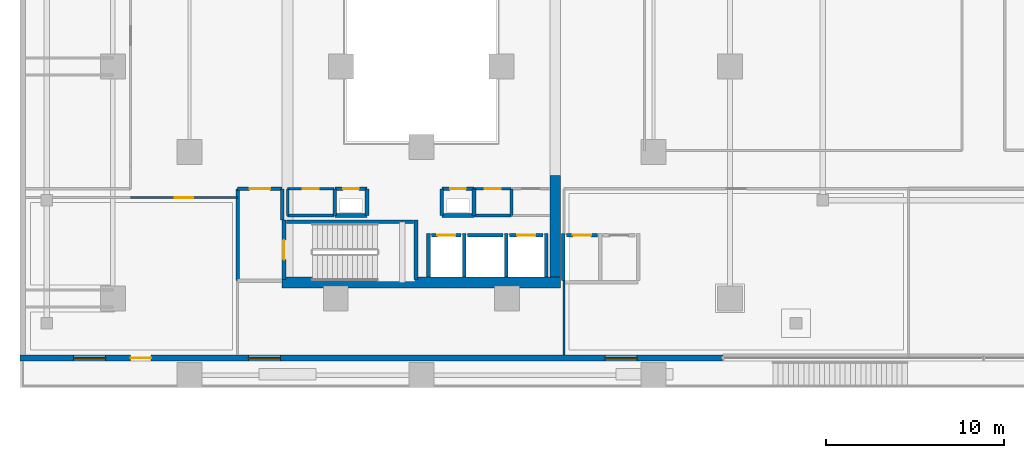
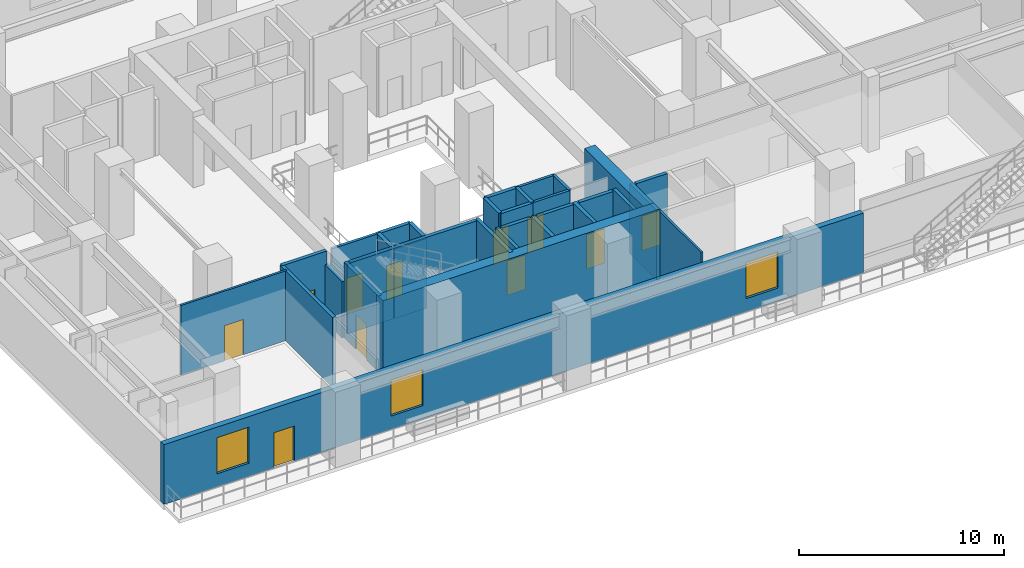
# One storey, part 11 of 22: 34 walls, 11 doors, 3 windows, 14 openings.
"""IFC4 building model written with IfcOpenShell, lengths in metres."""

from ifc_helpers import new_model, si_unit, direction, frame, frame_2d, origin, place, context, subcontext, project, spatial, rectangle, extrude, material, layer, layer_set, type_object, element, fill, save


model = new_model("IFC4")

# Units and contexts
model_context = context("Model", 3, precision=1e-05, world=origin(), true_north=direction((0.0, 1.0)))
body_context = subcontext(model_context, "Body", "Model", "MODEL_VIEW")
ifc_project = project(units=[si_unit("LENGTHUNIT", "METRE"), si_unit("AREAUNIT", "SQUARE_METRE"), si_unit("VOLUMEUNIT", "CUBIC_METRE"), si_unit("PLANEANGLEUNIT", "RADIAN"), si_unit("MASSUNIT", "GRAM", prefix="KILO")], contexts=[model_context])

# Site, building, storey
site_placement = place(None, origin())
site = spatial("IfcSite", under=ifc_project, at=site_placement, CompositionType="ELEMENT")
building_placement = place(site_placement, origin())
building = spatial("IfcBuilding", under=site, at=building_placement, Name="Thornwick Lancets Civic Towers", CompositionType="ELEMENT")
storey_placement = place(building_placement, frame((0.0, 0.0, 18.60009765625)))
storey = spatial("IfcBuildingStorey", under=building, at=storey_placement, Name="L04", CompositionType="ELEMENT", Elevation=18.60009765625)

# Wall, opening, door
ifc_material_1 = material(Name="Concrete blockwork C40/50", Category="masonry")
ifc_layer_1 = layer(ifc_material_1, 0.199951171875, Name="Concrete blockwork C40/50")
ifc_layer_set_1 = layer_set([ifc_layer_1], Name="Concrete blockwork C40/50")
wall_type_1 = type_object("IfcWallType", Name="WALL_COMP_200", PredefinedType="STANDARD", material=ifc_layer_set_1)
wall_1_placement = place(storey_placement, frame((26.080078125, 17.550048828125, 0.0), z_axis=(0.0, 0.0, 1.0), x_axis=(1.0, 0.0, 0.0)))
wall_1 = element("IfcWall", 1, at=wall_1_placement, inside=storey, type_object=wall_type_1, Name="L04 Hoistway Front Wall FL-A1", PredefinedType="STANDARD", context=body_context, shape_type="SweptSolid", body=[
    extrude(rectangle(XDim=1.639892578125, YDim=0.199951171875, at=frame_2d((0.81982421875, 0.0))), origin(), (0.0, 0.0, 1.0), 4.159912109375),
])
opening_1_placement = place(wall_1_placement, frame((0.31005859375, 0.0, 0.0)))
opening_1 = element("IfcOpeningElement", 2, at=opening_1_placement, cuts=wall_1, Name="Opening LD-FL-A1", PredefinedType="OPENING", context=body_context, shape_type="SweptSolid", body=[
    extrude(rectangle(XDim=1.02001953125, YDim=2.06005859375, at=frame_2d((0.510009765625, 1.030029296875))), frame((0.0, 0.10986328125, 0.0), z_axis=(0.0, -1.0, 0.0), x_axis=(1.0, 0.0, 0.0)), (0.0, 0.0, 1.0), 0.219970703125),
])
ifc_material_2 = material(Name="Brushed bronze stainless steel", Category="steel")
door_type_1 = type_object("IfcDoorType", Name="DOOR_LIFT_SLIDE", OperationType="SLIDING_TO_LEFT", PredefinedType="DOOR", material=ifc_material_2)
door_1_placement = place(opening_1_placement, origin())
door_1 = element("IfcDoor", 3, at=door_1_placement, inside=storey, type_object=door_type_1, Name="L04 Sliding Lift Landing Door LD-FL-A1", OperationType="SLIDING_TO_LEFT", OverallHeight=2.06005859375, OverallWidth=1.02001953125, PredefinedType="DOOR", context=body_context, shape_type="SweptSolid", body=[
    extrude(rectangle(XDim=1.02001953125, YDim=2.06005859375, at=frame_2d((0.510009765625, 1.030029296875))), frame((0.0, 0.02490234375, 0.0), z_axis=(0.0, -1.0, 0.0), x_axis=(1.0, 0.0, 0.0)), (0.0, 0.0, 1.0), 0.050048828125),
])
fill(opening_1, door_1)

# Wall
wall_2_placement = place(storey_placement, frame((28.080078125, 17.550048828125, 0.0), z_axis=(0.0, 0.0, 1.0), x_axis=(1.0, 0.0, 0.0)))
element("IfcWall", 4, at=wall_2_placement, inside=storey, type_object=wall_type_1, Name="L04 Hoistway Front Wall PL-AH1", PredefinedType="STANDARD", context=body_context, shape_type="SweptSolid", body=[
    extrude(rectangle(XDim=1.989990234375, YDim=0.199951171875, at=frame_2d((0.9951171875, 0.0))), origin(), (0.0, 0.0, 1.0), 4.159912109375),
])

# Wall, opening, door
wall_3_placement = place(storey_placement, frame((30.429931640625, 17.550048828125, 0.0), z_axis=(0.0, 0.0, 1.0), x_axis=(1.0, 0.0, 0.0)))
wall_3 = element("IfcWall", 5, at=wall_3_placement, inside=storey, type_object=wall_type_1, Name="L04 Hoistway Front Wall PL-AL1", PredefinedType="STANDARD", context=body_context, shape_type="SweptSolid", body=[
    extrude(rectangle(XDim=1.89013671875, YDim=0.199951171875, at=frame_2d((0.945068359375, 0.0))), origin(), (0.0, 0.0, 1.0), 4.159912109375),
])
opening_2_placement = place(wall_3_placement, frame((0.43505859375, 0.0, 0.0)))
opening_2 = element("IfcOpeningElement", 6, at=opening_2_placement, cuts=wall_3, Name="Opening LD-PL-AL1", PredefinedType="OPENING", context=body_context, shape_type="SweptSolid", body=[
    extrude(rectangle(XDim=1.02001953125, YDim=2.06005859375, at=frame_2d((0.510009765625, 1.030029296875))), frame((0.0, 0.10986328125, 0.0), z_axis=(0.0, -1.0, 0.0), x_axis=(1.0, 0.0, 0.0)), (0.0, 0.0, 1.0), 0.219970703125),
])
door_2_placement = place(opening_2_placement, origin())
door_2 = element("IfcDoor", 7, at=door_2_placement, inside=storey, type_object=door_type_1, Name="L04 Sliding Lift Landing Door LD-PL-AL1", OperationType="SLIDING_TO_LEFT", OverallHeight=2.06005859375, OverallWidth=1.02001953125, PredefinedType="DOOR", context=body_context, shape_type="SweptSolid", body=[
    extrude(rectangle(XDim=1.02001953125, YDim=2.06005859375, at=frame_2d((0.510009765625, 1.030029296875))), frame((0.0, 0.02490234375, 0.0), z_axis=(0.0, -1.0, 0.0), x_axis=(1.0, 0.0, 0.0)), (0.0, 0.0, 1.0), 0.050048828125),
])
fill(opening_2, door_2)

wall_4_placement = place(storey_placement, frame((33.6298828125, 17.550048828125, 0.0), z_axis=(0.0, 0.0, 1.0), x_axis=(1.0, 0.0, 0.0)))
wall_4 = element("IfcWall", 8, at=wall_4_placement, inside=storey, type_object=wall_type_1, Name="L04 Hoistway Front Wall PL-AL2", PredefinedType="STANDARD", context=body_context, shape_type="SweptSolid", body=[
    extrude(rectangle(XDim=1.740234375, YDim=0.199951171875, at=frame_2d((0.8701171875, 0.0))), origin(), (0.0, 0.0, 1.0), 4.159912109375),
])
opening_3_placement = place(wall_4_placement, frame((0.360107421875, 0.0, 0.0)))
opening_3 = element("IfcOpeningElement", 9, at=opening_3_placement, cuts=wall_4, Name="Opening LD-PL-AL2", PredefinedType="OPENING", context=body_context, shape_type="SweptSolid", body=[
    extrude(rectangle(XDim=1.02001953125, YDim=2.06005859375, at=frame_2d((0.510009765625, 1.030029296875))), frame((0.0, 0.10986328125, 0.0), z_axis=(0.0, -1.0, 0.0), x_axis=(1.0, 0.0, 0.0)), (0.0, 0.0, 1.0), 0.219970703125),
])
door_3_placement = place(opening_3_placement, origin())
door_3 = element("IfcDoor", 10, at=door_3_placement, inside=storey, type_object=door_type_1, Name="L04 Sliding Lift Landing Door LD-PL-AL2", OperationType="SLIDING_TO_LEFT", OverallHeight=2.06005859375, OverallWidth=1.02001953125, PredefinedType="DOOR", context=body_context, shape_type="SweptSolid", body=[
    extrude(rectangle(XDim=1.02001953125, YDim=2.06005859375, at=frame_2d((0.510009765625, 1.030029296875))), frame((0.0, 0.02490234375, 0.0), z_axis=(0.0, -1.0, 0.0), x_axis=(1.0, 0.0, 0.0)), (0.0, 0.0, 1.0), 0.050048828125),
])
fill(opening_3, door_3)

# Walls
for number, where, z_axis, x_axis, name in (
    (11, (27.89990234375, 15.2119140625, 0.0), (0.0, 0.0, 1.0), (0.0, 1.0, 0.0), "L04 Hoistway Shaft Wall FL-A1 E"),
    (12, (25.89990234375, 15.2119140625, 0.0), (0.0, 0.0, 1.0), (0.0, 1.0, 0.0), "L04 Hoistway Shaft Wall FL-A1 W"),
    (13, (30.25, 15.2119140625, 0.0), (0.0, 0.0, 1.0), (0.0, 1.0, 0.0), "L04 Hoistway Shaft Wall PL-AH1 E"),
    (14, (32.5, 15.2119140625, 0.0), (0.0, 0.0, 1.0), (0.0, 1.0, 0.0), "L04 Hoistway Shaft Wall PL-AL1 E"),
):
    element("IfcWall", number, at=place(storey_placement, frame(where, z_axis=z_axis, x_axis=x_axis)), inside=storey, type_object=wall_type_1, Name=name, PredefinedType="STANDARD", context=body_context, shape_type="SweptSolid", body=[
        extrude(rectangle(XDim=2.43603515625, YDim=0.199951171875, at=frame_2d((1.218017578125, 0.0))), origin(), (0.0, 0.0, 1.0), 4.159912109375),
    ])
wall_5_placement = place(storey_placement, frame((33.449951171875, 15.011962890625, 0.0), z_axis=(0.0, 0.0, 1.0), x_axis=(0.0, 1.0, 0.0)))
element("IfcWall", 15, at=wall_5_placement, inside=storey, type_object=wall_type_1, Name="L04 Hoistway Shaft Wall PL-AL2 W", PredefinedType="STANDARD", context=body_context, shape_type="SweptSolid", body=[
    extrude(rectangle(XDim=2.635986328125, YDim=0.199951171875, at=frame_2d((1.31787109375, 0.0))), origin(), (0.0, 0.0, 1.0), 4.159912109375),
])
wall_6_placement = place(storey_placement, frame((17.699951171875, 18.39990234375, 0.0), z_axis=(0.0, 0.0, 1.0), x_axis=(0.0, 1.0, 0.0)))
element("IfcWall", 16, at=wall_6_placement, inside=storey, type_object=wall_type_1, Name="L04 Partition L04-A-FFLOB1 E2", PredefinedType="STANDARD", context=body_context, shape_type="SweptSolid", body=[
    extrude(rectangle(XDim=1.75, YDim=0.199951171875, at=frame_2d((0.875, 0.0))), origin(), (0.0, 0.0, 1.0), 3.364990234375),
])

# Wall, opening, door
wall_7_placement = place(storey_placement, frame((17.699951171875, 20.14990234375, 0.0), z_axis=(0.0, 0.0, 1.0), x_axis=(-1.0, 0.0, 0.0)))
wall_7 = element("IfcWall", 17, at=wall_7_placement, inside=storey, type_object=wall_type_1, Name="L04 Partition L04-A-FFLOB1 E3", PredefinedType="STANDARD", context=body_context, shape_type="SweptSolid", body=[
    extrude(rectangle(XDim=2.5, YDim=0.199951171875, at=frame_2d((1.25, 0.0))), origin(), (0.0, 0.0, 1.0), 4.159912109375),
])
opening_4_placement = place(wall_7_placement, frame((0.675048828125, 0.0, 0.0)))
opening_4 = element("IfcOpeningElement", 18, at=opening_4_placement, cuts=wall_7, Name="Opening D-L04-0233", PredefinedType="OPENING", context=body_context, shape_type="SweptSolid", body=[
    extrude(rectangle(XDim=1.14990234375, YDim=2.10009765625, at=frame_2d((0.574951171875, 1.050048828125))), frame((0.0, 0.10986328125, 0.0), z_axis=(0.0, -1.0, 0.0), x_axis=(1.0, 0.0, 0.0)), (0.0, 0.0, 1.0), 0.219970703125),
])
ifc_material_3 = material(Name="Glazed fire-resisting steel", Category="steel")
door_type_2 = type_object("IfcDoorType", Name="DOOR_LOBBY_FD60", OperationType="NOTDEFINED", PredefinedType="DOOR", material=ifc_material_3)
door_4_placement = place(opening_4_placement, origin())
door_4 = element("IfcDoor", 19, at=door_4_placement, inside=storey, type_object=door_type_2, Name="L04 South Firefighting Lobby 1 Door", OperationType="SINGLE_SWING_RIGHT", OverallHeight=2.10009765625, OverallWidth=1.14990234375, PredefinedType="DOOR", context=body_context, shape_type="SweptSolid", body=[
    extrude(rectangle(XDim=1.14990234375, YDim=2.10009765625, at=frame_2d((0.574951171875, 1.050048828125))), frame((0.0, 0.02490234375, 0.0), z_axis=(0.0, -1.0, 0.0), x_axis=(1.0, 0.0, 0.0)), (0.0, 0.0, 1.0), 0.050048828125),
])
fill(opening_4, door_4)

# Walls
wall_8_placement = place(storey_placement, frame((15.199951171875, 20.14990234375, 0.0), z_axis=(0.0, 0.0, 1.0), x_axis=(0.0, -1.0, 0.0)))
element("IfcWall", 20, at=wall_8_placement, inside=storey, type_object=wall_type_1, Name="L04 Partition L04-A-FFLOB1 E4", PredefinedType="STANDARD", context=body_context, shape_type="SweptSolid", body=[
    extrude(rectangle(XDim=5.14990234375, YDim=0.199951171875, at=frame_2d((2.574951171875, 0.0))), origin(), (0.0, 0.0, 1.0), 4.159912109375),
])
wall_9_placement = place(storey_placement, frame((26.64990234375, 18.64990234375, 0.0), z_axis=(0.0, 0.0, 1.0), x_axis=(1.0, 0.0, 0.0)))
element("IfcWall", 21, at=wall_9_placement, inside=storey, type_object=wall_type_1, Name="L04 Partition L04-A-DUCT1 E1", PredefinedType="STANDARD", context=body_context, shape_type="SweptSolid", body=[
    extrude(rectangle(XDim=1.800048828125, YDim=0.199951171875, at=frame_2d((0.89990234375, 0.0))), origin(), (0.0, 0.0, 1.0), 4.159912109375),
])
wall_10_placement = place(storey_placement, frame((28.449951171875, 18.64990234375, 0.0), z_axis=(0.0, 0.0, 1.0), x_axis=(0.0, 1.0, 0.0)))
element("IfcWall", 22, at=wall_10_placement, inside=storey, type_object=wall_type_1, Name="L04 Partition L04-A-DUCT1 E2", PredefinedType="STANDARD", context=body_context, shape_type="SweptSolid", body=[
    extrude(rectangle(XDim=1.5, YDim=0.199951171875, at=frame_2d((0.75, 0.0))), origin(), (0.0, 0.0, 1.0), 4.159912109375),
])

# Wall, opening, door
wall_11_placement = place(storey_placement, frame((28.449951171875, 20.14990234375, 0.0), z_axis=(0.0, 0.0, 1.0), x_axis=(-1.0, 0.0, 0.0)))
wall_11 = element("IfcWall", 23, at=wall_11_placement, inside=storey, type_object=wall_type_1, Name="L04 Partition L04-A-DUCT1 E3", PredefinedType="STANDARD", context=body_context, shape_type="SweptSolid", body=[
    extrude(rectangle(XDim=1.800048828125, YDim=0.199951171875, at=frame_2d((0.89990234375, 0.0))), origin(), (0.0, 0.0, 1.0), 4.159912109375),
])
opening_5_placement = place(wall_11_placement, frame((0.4599609375, 0.0, 0.0)))
opening_5 = element("IfcOpeningElement", 24, at=opening_5_placement, cuts=wall_11, Name="Opening D-L04-0235", PredefinedType="OPENING", context=body_context, shape_type="SweptSolid", body=[
    extrude(rectangle(XDim=0.8798828125, YDim=2.0400390625, at=frame_2d((0.43994140625, 1.02001953125))), frame((0.0, 0.10986328125, 0.0), z_axis=(0.0, -1.0, 0.0), x_axis=(1.0, 0.0, 0.0)), (0.0, 0.0, 1.0), 0.219970703125),
])
ifc_material_4 = material(Name="Steel riser access doorset", Category="steel")
door_type_3 = type_object("IfcDoorType", Name="DOOR_RISER_850", OperationType="NOTDEFINED", PredefinedType="DOOR", material=ifc_material_4)
door_5_placement = place(opening_5_placement, origin())
door_5 = element("IfcDoor", 25, at=door_5_placement, inside=storey, type_object=door_type_3, Name="L04 South Service Duct 1 Door", OperationType="SINGLE_SWING_RIGHT", OverallHeight=2.0400390625, OverallWidth=0.8798828125, PredefinedType="DOOR", context=body_context, shape_type="SweptSolid", body=[
    extrude(rectangle(XDim=0.8798828125, YDim=2.0400390625, at=frame_2d((0.43994140625, 1.02001953125))), frame((0.0, 0.02490234375, 0.0), z_axis=(0.0, -1.0, 0.0), x_axis=(1.0, 0.0, 0.0)), (0.0, 0.0, 1.0), 0.050048828125),
])
fill(opening_5, door_5)

# Walls
wall_12_placement = place(storey_placement, frame((26.64990234375, 20.14990234375, 0.0), z_axis=(0.0, 0.0, 1.0), x_axis=(0.0, -1.0, 0.0)))
element("IfcWall", 26, at=wall_12_placement, inside=storey, type_object=wall_type_1, Name="L04 Partition L04-A-DUCT1 E4", PredefinedType="STANDARD", context=body_context, shape_type="SweptSolid", body=[
    extrude(rectangle(XDim=1.5, YDim=0.199951171875, at=frame_2d((0.75, 0.0))), origin(), (0.0, 0.0, 1.0), 4.159912109375),
])
wall_13_placement = place(storey_placement, frame((20.64990234375, 18.64990234375, 0.0), z_axis=(0.0, 0.0, 1.0), x_axis=(1.0, 0.0, 0.0)))
element("IfcWall", 27, at=wall_13_placement, inside=storey, type_object=wall_type_1, Name="L04 Partition L04-A-RISER1 E1", PredefinedType="STANDARD", context=body_context, shape_type="SweptSolid", body=[
    extrude(rectangle(XDim=1.800048828125, YDim=0.199951171875, at=frame_2d((0.89990234375, 0.0))), origin(), (0.0, 0.0, 1.0), 4.159912109375),
])
wall_14_placement = place(storey_placement, frame((22.449951171875, 18.64990234375, 0.0), z_axis=(0.0, 0.0, 1.0), x_axis=(0.0, 1.0, 0.0)))
element("IfcWall", 28, at=wall_14_placement, inside=storey, type_object=wall_type_1, Name="L04 Partition L04-A-RISER1 E2", PredefinedType="STANDARD", context=body_context, shape_type="SweptSolid", body=[
    extrude(rectangle(XDim=1.5, YDim=0.199951171875, at=frame_2d((0.75, 0.0))), origin(), (0.0, 0.0, 1.0), 4.159912109375),
])

# Wall, opening, door
wall_15_placement = place(storey_placement, frame((22.449951171875, 20.14990234375, 0.0), z_axis=(0.0, 0.0, 1.0), x_axis=(-1.0, 0.0, 0.0)))
wall_15 = element("IfcWall", 29, at=wall_15_placement, inside=storey, type_object=wall_type_1, Name="L04 Partition L04-A-RISER1 E3", PredefinedType="STANDARD", context=body_context, shape_type="SweptSolid", body=[
    extrude(rectangle(XDim=1.800048828125, YDim=0.199951171875, at=frame_2d((0.89990234375, 0.0))), origin(), (0.0, 0.0, 1.0), 4.159912109375),
])
opening_6_placement = place(wall_15_placement, frame((0.4599609375, 0.0, 0.0)))
opening_6 = element("IfcOpeningElement", 30, at=opening_6_placement, cuts=wall_15, Name="Opening D-L04-0236", PredefinedType="OPENING", context=body_context, shape_type="SweptSolid", body=[
    extrude(rectangle(XDim=0.8798828125, YDim=2.0400390625, at=frame_2d((0.43994140625, 1.02001953125))), frame((0.0, 0.10986328125, 0.0), z_axis=(0.0, -1.0, 0.0), x_axis=(1.0, 0.0, 0.0)), (0.0, 0.0, 1.0), 0.219970703125),
])
door_6_placement = place(opening_6_placement, origin())
door_6 = element("IfcDoor", 31, at=door_6_placement, inside=storey, type_object=door_type_3, Name="L04 South Electrical Riser 1 Door", OperationType="SINGLE_SWING_LEFT", OverallHeight=2.0400390625, OverallWidth=0.8798828125, PredefinedType="DOOR", context=body_context, shape_type="SweptSolid", body=[
    extrude(rectangle(XDim=0.8798828125, YDim=2.0400390625, at=frame_2d((0.43994140625, 1.02001953125))), frame((0.0, 0.02490234375, 0.0), z_axis=(0.0, -1.0, 0.0), x_axis=(1.0, 0.0, 0.0)), (0.0, 0.0, 1.0), 0.050048828125),
])
fill(opening_6, door_6)

# Walls
wall_16_placement = place(storey_placement, frame((20.64990234375, 20.14990234375, 0.0), z_axis=(0.0, 0.0, 1.0), x_axis=(0.0, -1.0, 0.0)))
element("IfcWall", 32, at=wall_16_placement, inside=storey, type_object=wall_type_1, Name="L04 Partition L04-A-RISER1 E4", PredefinedType="STANDARD", context=body_context, shape_type="SweptSolid", body=[
    extrude(rectangle(XDim=1.5, YDim=0.199951171875, at=frame_2d((0.75, 0.0))), origin(), (0.0, 0.0, 1.0), 4.159912109375),
])
ifc_material_5 = material(Name="Concrete C60/75", Category="concrete")
ifc_layer_2 = layer(ifc_material_5, 0.60009765625, Name="Concrete C60/75")
ifc_layer_set_2 = layer_set([ifc_layer_2], Name="Concrete C60/75")
wall_type_2 = type_object("IfcWallType", Name="WALL_CORE_600", PredefinedType="SHEAR", material=ifc_layer_set_2)
wall_17_placement = place(storey_placement, frame((17.699951171875, 14.89990234375, 0.0), z_axis=(0.0, 0.0, 1.0), x_axis=(1.0, 0.0, 0.0)))
element("IfcWall", 33, at=wall_17_placement, inside=storey, type_object=wall_type_2, Name="L04 Split Core A1 Shear Wall S", PredefinedType="SHEAR", context=body_context, shape_type="SweptSolid", body=[
    extrude(rectangle(XDim=15.60009765625, YDim=0.60009765625, at=frame_2d((7.800048828125, 0.0))), origin(), (0.0, 0.0, 1.0), 4.5),
])
wall_18_placement = place(storey_placement, frame((33.0, 15.199951171875, 0.0), z_axis=(0.0, 0.0, 1.0), x_axis=(0.0, 1.0, 0.0)))
element("IfcWall", 34, at=wall_18_placement, inside=storey, type_object=wall_type_2, Name="L04 Split Core A1 Shear Wall E", PredefinedType="SHEAR", context=body_context, shape_type="SweptSolid", body=[
    extrude(rectangle(XDim=5.699951171875, YDim=0.60009765625, at=frame_2d((2.85009765625, 0.0))), origin(), (0.0, 0.0, 1.0), 4.5),
])

# Wall, openings, door, windows
ifc_material_6 = material(Name="Insulated buff terracotta rainscreen on concrete C40/50", Category="masonry")
ifc_layer_3 = layer(ifc_material_6, 0.320068359375, Name="Insulated buff terracotta rainscreen on concrete C40/50")
ifc_layer_set_3 = layer_set([ifc_layer_3], Name="Insulated buff terracotta rainscreen on concrete C40/50")
wall_type_3 = type_object("IfcWallType", Name="WALL_EXT_TERRA_320", PredefinedType="STANDARD", material=ifc_layer_set_3)
wall_19_placement = place(storey_placement, frame((3.0, 10.659912109375, 0.0), z_axis=(0.0, 0.0, 1.0), x_axis=(1.0, 0.0, 0.0)))
wall_19 = element("IfcWall", 35, at=wall_19_placement, inside=storey, type_object=wall_type_3, Name="L04 Podium South-West Facade Wall", PredefinedType="STANDARD", context=body_context, shape_type="SweptSolid", body=[
    extrude(rectangle(XDim=39.39990234375, YDim=0.320068359375, at=frame_2d((19.699951171875, 0.0))), origin(), (0.0, 0.0, 1.0), 3.559814453125),
])
opening_7_placement = place(wall_19_placement, frame((6.199951171875, 0.0, 0.0)))
opening_7 = element("IfcOpeningElement", 36, at=opening_7_placement, cuts=wall_19, Name="Opening D-TR-L04-1", PredefinedType="OPENING", context=body_context, shape_type="SweptSolid", body=[
    extrude(rectangle(XDim=1.14990234375, YDim=2.10009765625, at=frame_2d((0.574951171875, 1.050048828125))), frame((0.0, 0.169921875, 0.0), z_axis=(0.0, -1.0, 0.0), x_axis=(1.0, 0.0, 0.0)), (0.0, 0.0, 1.0), 0.340087890625),
])
opening_8_placement = place(wall_19_placement, frame((3.0, 0.0, 0.780029296875)))
opening_8 = element("IfcOpeningElement", 37, at=opening_8_placement, cuts=wall_19, Name="Opening WP-18", PredefinedType="OPENING", context=body_context, shape_type="SweptSolid", body=[
    extrude(rectangle(XDim=1.800048828125, YDim=2.14990234375, at=frame_2d((0.89990234375, 1.074951171875))), frame((0.0, 0.169921875, 0.0), z_axis=(0.0, -1.0, 0.0), x_axis=(1.0, 0.0, 0.0)), (0.0, 0.0, 1.0), 0.340087890625),
])
opening_9_placement = place(wall_19_placement, frame((12.800048828125, 0.0, 0.780029296875)))
opening_9 = element("IfcOpeningElement", 38, at=opening_9_placement, cuts=wall_19, Name="Opening WP-18", PredefinedType="OPENING", context=body_context, shape_type="SweptSolid", body=[
    extrude(rectangle(XDim=1.800048828125, YDim=2.14990234375, at=frame_2d((0.89990234375, 1.074951171875))), frame((0.0, 0.169921875, 0.0), z_axis=(0.0, -1.0, 0.0), x_axis=(1.0, 0.0, 0.0)), (0.0, 0.0, 1.0), 0.340087890625),
])
opening_10_placement = place(wall_19_placement, frame((32.800048828125, 0.0, 0.780029296875)))
opening_10 = element("IfcOpeningElement", 39, at=opening_10_placement, cuts=wall_19, Name="Opening WP-18", PredefinedType="OPENING", context=body_context, shape_type="SweptSolid", body=[
    extrude(rectangle(XDim=1.800048828125, YDim=2.14990234375, at=frame_2d((0.89990234375, 1.074951171875))), frame((0.0, 0.169921875, 0.0), z_axis=(0.0, -1.0, 0.0), x_axis=(1.0, 0.0, 0.0)), (0.0, 0.0, 1.0), 0.340087890625),
])
ifc_material_7 = material(Name="Thermally broken glazed terrace doorset")
door_type_4 = type_object("IfcDoorType", Name="DOOR_TERRACE_1200", OperationType="NOTDEFINED", PredefinedType="DOOR", material=ifc_material_7)
door_7_placement = place(opening_7_placement, origin())
door_7 = element("IfcDoor", 40, at=door_7_placement, inside=storey, type_object=door_type_4, Name="L04 Cascading Garden Terrace Door 1", OperationType="SINGLE_SWING_LEFT", OverallHeight=2.10009765625, OverallWidth=1.14990234375, PredefinedType="DOOR", context=body_context, shape_type="SweptSolid", body=[
    extrude(rectangle(XDim=1.14990234375, YDim=2.10009765625, at=frame_2d((0.574951171875, 1.050048828125))), frame((0.0, 0.02490234375, 0.0), z_axis=(0.0, -1.0, 0.0), x_axis=(1.0, 0.0, 0.0)), (0.0, 0.0, 1.0), 0.050048828125),
])
fill(opening_7, door_7)
ifc_material_8 = material(Name="Pointed lancet clear glass window", Category="glass")
window_type = type_object("IfcWindowType", Name="WIN_PODIUM_1800", PartitioningType="SINGLE_PANEL", PredefinedType="WINDOW", material=ifc_material_8)
window_1_placement = place(opening_8_placement, origin())
window_1 = element("IfcWindow", 41, at=window_1_placement, inside=storey, type_object=window_type, Name="L04 Podium Lancet Window 1", OverallHeight=2.14990234375, OverallWidth=1.800048828125, PartitioningType="SINGLE_PANEL", PredefinedType="WINDOW", context=body_context, shape_type="SweptSolid", body=[
    extrude(rectangle(XDim=1.800048828125, YDim=2.14990234375, at=frame_2d((0.89990234375, 1.074951171875))), frame((0.0, 0.030029296875, 0.0), z_axis=(0.0, -1.0, 0.0), x_axis=(1.0, 0.0, 0.0)), (0.0, 0.0, 1.0), 0.06005859375),
])
fill(opening_8, window_1)
window_2_placement = place(opening_9_placement, origin())
window_2 = element("IfcWindow", 42, at=window_2_placement, inside=storey, type_object=window_type, Name="L04 Podium Lancet Window 2", OverallHeight=2.14990234375, OverallWidth=1.800048828125, PartitioningType="SINGLE_PANEL", PredefinedType="WINDOW", context=body_context, shape_type="SweptSolid", body=[
    extrude(rectangle(XDim=1.800048828125, YDim=2.14990234375, at=frame_2d((0.89990234375, 1.074951171875))), frame((0.0, 0.030029296875, 0.0), z_axis=(0.0, -1.0, 0.0), x_axis=(1.0, 0.0, 0.0)), (0.0, 0.0, 1.0), 0.06005859375),
])
fill(opening_9, window_2)
window_3_placement = place(opening_10_placement, origin())
window_3 = element("IfcWindow", 43, at=window_3_placement, inside=storey, type_object=window_type, Name="L04 Podium Lancet Window 4", OverallHeight=2.14990234375, OverallWidth=1.800048828125, PartitioningType="SINGLE_PANEL", PredefinedType="WINDOW", context=body_context, shape_type="SweptSolid", body=[
    extrude(rectangle(XDim=1.800048828125, YDim=2.14990234375, at=frame_2d((0.89990234375, 1.074951171875))), frame((0.0, 0.030029296875, 0.0), z_axis=(0.0, -1.0, 0.0), x_axis=(1.0, 0.0, 0.0)), (0.0, 0.0, 1.0), 0.06005859375),
])
fill(opening_10, window_3)

# Wall, opening, door
ifc_material_9 = material(Name="Acoustic gypsum board partition")
ifc_layer_4 = layer(ifc_material_9, 0.1201171875, Name="Acoustic gypsum board partition")
ifc_layer_set_4 = layer_set([ifc_layer_4], Name="Acoustic gypsum board partition")
wall_type_4 = type_object("IfcWallType", Name="WALL_PART_120", PredefinedType="PARTITIONING", material=ifc_layer_set_4)
wall_20_placement = place(storey_placement, frame((9.199951171875, 19.64990234375, 0.0), z_axis=(0.0, 0.0, 1.0), x_axis=(1.0, 0.0, 0.0)))
wall_20 = element("IfcWall", 44, at=wall_20_placement, inside=storey, type_object=wall_type_4, Name="L04 Partition L04-MINW E1", PredefinedType="PARTITIONING", context=body_context, shape_type="SweptSolid", body=[
    extrude(rectangle(XDim=6.0, YDim=0.1201171875, at=frame_2d((3.0, 0.0))), origin(), (0.0, 0.0, 1.0), 4.159912109375),
])
opening_11_placement = place(wall_20_placement, frame((2.47509765625, 0.0, 0.0)))
opening_11 = element("IfcOpeningElement", 45, at=opening_11_placement, cuts=wall_20, Name="Opening D-L04-0258", PredefinedType="OPENING", context=body_context, shape_type="SweptSolid", body=[
    extrude(rectangle(XDim=1.050048828125, YDim=2.10009765625, at=frame_2d((0.52490234375, 1.050048828125))), frame((0.0, 0.070068359375, 0.0), z_axis=(0.0, -1.0, 0.0), x_axis=(1.0, 0.0, 0.0)), (0.0, 0.0, 1.0), 0.14013671875),
])
ifc_material_10 = material(Name="Glazed European oak executive doorset")
door_type_5 = type_object("IfcDoorType", Name="DOOR_OFFICE_1050", OperationType="NOTDEFINED", PredefinedType="DOOR", material=ifc_material_10)
door_8_placement = place(opening_11_placement, origin())
door_8 = element("IfcDoor", 46, at=door_8_placement, inside=storey, type_object=door_type_5, Name="L04 Ministry Policy Directorate West Door", OperationType="SINGLE_SWING_LEFT", OverallHeight=2.10009765625, OverallWidth=1.050048828125, PredefinedType="DOOR", context=body_context, shape_type="SweptSolid", body=[
    extrude(rectangle(XDim=1.050048828125, YDim=2.10009765625, at=frame_2d((0.52490234375, 1.050048828125))), frame((0.0, 0.02490234375, 0.0), z_axis=(0.0, -1.0, 0.0), x_axis=(1.0, 0.0, 0.0)), (0.0, 0.0, 1.0), 0.050048828125),
])
fill(opening_11, door_8)

# Walls
wall_21_placement = place(storey_placement, frame((33.5, 10.820068359375, 0.0), z_axis=(0.0, 0.0, 1.0), x_axis=(0.0, 1.0, 0.0)))
element("IfcWall", 47, at=wall_21_placement, inside=storey, type_object=wall_type_4, Name="L04 Partition L04-RECEP E4", PredefinedType="PARTITIONING", context=body_context, shape_type="SweptSolid", body=[
    extrude(rectangle(XDim=4.19189453125, YDim=0.1201171875, at=frame_2d((2.095947265625, 0.0))), origin(), (0.0, 0.0, 1.0), 4.159912109375),
])
ifc_material_11 = material(Name="Twin-stud acoustic gypsum board")
ifc_layer_5 = layer(ifc_material_11, 0.14990234375, Name="Twin-stud acoustic gypsum board")
ifc_layer_set_5 = layer_set([ifc_layer_5], Name="Twin-stud acoustic gypsum board")
wall_type_5 = type_object("IfcWallType", Name="WALL_PART_150", PredefinedType="PARTITIONING", material=ifc_layer_set_5)
wall_22_placement = place(storey_placement, frame((18.0, 18.64990234375, 0.0), z_axis=(0.0, 0.0, 1.0), x_axis=(1.0, 0.0, 0.0)))
element("IfcWall", 48, at=wall_22_placement, inside=storey, type_object=wall_type_5, Name="L04 Partition L04-A-AWC E1", PredefinedType="PARTITIONING", context=body_context, shape_type="SweptSolid", body=[
    extrude(rectangle(XDim=2.60009765625, YDim=0.14990234375, at=frame_2d((1.300048828125, 0.0))), origin(), (0.0, 0.0, 1.0), 4.159912109375),
])

# Wall, opening, door
wall_23_placement = place(storey_placement, frame((20.60009765625, 20.14990234375, 0.0), z_axis=(0.0, 0.0, 1.0), x_axis=(-1.0, 0.0, 0.0)))
wall_23 = element("IfcWall", 49, at=wall_23_placement, inside=storey, type_object=wall_type_5, Name="L04 Partition L04-A-AWC E3", PredefinedType="PARTITIONING", context=body_context, shape_type="SweptSolid", body=[
    extrude(rectangle(XDim=2.60009765625, YDim=0.14990234375, at=frame_2d((1.300048828125, 0.0))), origin(), (0.0, 0.0, 1.0), 4.159912109375),
])
opening_12_placement = place(wall_23_placement, frame((0.840087890625, 0.0, 0.0)))
opening_12 = element("IfcOpeningElement", 50, at=opening_12_placement, cuts=wall_23, Name="Opening D-L04-0239", PredefinedType="OPENING", context=body_context, shape_type="SweptSolid", body=[
    extrude(rectangle(XDim=0.919921875, YDim=2.080078125, at=frame_2d((0.4599609375, 1.0400390625))), frame((0.0, 0.0849609375, 0.0), z_axis=(0.0, -1.0, 0.0), x_axis=(1.0, 0.0, 0.0)), (0.0, 0.0, 1.0), 0.169921875),
])
ifc_material_12 = material(Name="Moisture-resistant oak doorset")
door_type_6 = type_object("IfcDoorType", Name="DOOR_WC_900", OperationType="NOTDEFINED", PredefinedType="DOOR", material=ifc_material_12)
door_9_placement = place(opening_12_placement, origin())
door_9 = element("IfcDoor", 51, at=door_9_placement, inside=storey, type_object=door_type_6, Name="L04 Tower A Accessible WC Door", OperationType="SINGLE_SWING_RIGHT", OverallHeight=2.080078125, OverallWidth=0.919921875, PredefinedType="DOOR", context=body_context, shape_type="SweptSolid", body=[
    extrude(rectangle(XDim=0.919921875, YDim=2.080078125, at=frame_2d((0.4599609375, 1.0400390625))), frame((0.0, 0.02490234375, 0.0), z_axis=(0.0, -1.0, 0.0), x_axis=(1.0, 0.0, 0.0)), (0.0, 0.0, 1.0), 0.050048828125),
])
fill(opening_12, door_9)

# Walls
wall_24_placement = place(storey_placement, frame((18.0, 20.14990234375, 0.0), z_axis=(0.0, 0.0, 1.0), x_axis=(0.0, -1.0, 0.0)))
element("IfcWall", 52, at=wall_24_placement, inside=storey, type_object=wall_type_5, Name="L04 Partition L04-A-AWC E4", PredefinedType="PARTITIONING", context=body_context, shape_type="SweptSolid", body=[
    extrude(rectangle(XDim=1.5, YDim=0.14990234375, at=frame_2d((0.75, 0.0))), origin(), (0.0, 0.0, 1.0), 3.364990234375),
])
wall_25_placement = place(storey_placement, frame((30.550048828125, 20.14990234375, 0.0), z_axis=(0.0, 0.0, 1.0), x_axis=(0.0, -1.0, 0.0)))
element("IfcWall", 53, at=wall_25_placement, inside=storey, type_object=wall_type_5, Name="L04 Partition L04-A-MWC E1", PredefinedType="PARTITIONING", context=body_context, shape_type="SweptSolid", body=[
    extrude(rectangle(XDim=1.5, YDim=0.14990234375, at=frame_2d((0.75, 0.0))), origin(), (0.0, 0.0, 1.0), 4.159912109375),
])
wall_26_placement = place(storey_placement, frame((30.550048828125, 18.64990234375, 0.0), z_axis=(0.0, 0.0, 1.0), x_axis=(-1.0, 0.0, 0.0)))
element("IfcWall", 54, at=wall_26_placement, inside=storey, type_object=wall_type_5, Name="L04 Partition L04-A-MWC E2", PredefinedType="PARTITIONING", context=body_context, shape_type="SweptSolid", body=[
    extrude(rectangle(XDim=2.10009765625, YDim=0.14990234375, at=frame_2d((1.050048828125, 0.0))), origin(), (0.0, 0.0, 1.0), 4.159912109375),
])

# Wall, opening, door
wall_27_placement = place(storey_placement, frame((28.449951171875, 20.14990234375, 0.0), z_axis=(0.0, 0.0, 1.0), x_axis=(1.0, 0.0, 0.0)))
wall_27 = element("IfcWall", 55, at=wall_27_placement, inside=storey, type_object=wall_type_5, Name="L04 Partition L04-A-MWC E4", PredefinedType="PARTITIONING", context=body_context, shape_type="SweptSolid", body=[
    extrude(rectangle(XDim=2.10009765625, YDim=0.14990234375, at=frame_2d((1.050048828125, 0.0))), origin(), (0.0, 0.0, 1.0), 4.159912109375),
])
opening_13_placement = place(wall_27_placement, frame((0.590087890625, 0.0, 0.0)))
opening_13 = element("IfcOpeningElement", 56, at=opening_13_placement, cuts=wall_27, Name="Opening D-L04-0240", PredefinedType="OPENING", context=body_context, shape_type="SweptSolid", body=[
    extrude(rectangle(XDim=0.919921875, YDim=2.080078125, at=frame_2d((0.4599609375, 1.0400390625))), frame((0.0, 0.0849609375, 0.0), z_axis=(0.0, -1.0, 0.0), x_axis=(1.0, 0.0, 0.0)), (0.0, 0.0, 1.0), 0.169921875),
])
door_10_placement = place(opening_13_placement, origin())
door_10 = element("IfcDoor", 57, at=door_10_placement, inside=storey, type_object=door_type_6, Name="L04 Tower A Male WC Door", OperationType="SINGLE_SWING_LEFT", OverallHeight=2.080078125, OverallWidth=0.919921875, PredefinedType="DOOR", context=body_context, shape_type="SweptSolid", body=[
    extrude(rectangle(XDim=0.919921875, YDim=2.080078125, at=frame_2d((0.4599609375, 1.0400390625))), frame((0.0, 0.02490234375, 0.0), z_axis=(0.0, -1.0, 0.0), x_axis=(1.0, 0.0, 0.0)), (0.0, 0.0, 1.0), 0.050048828125),
])
fill(opening_13, door_10)

ifc_material_13 = material(Name="Concrete C40/50", Category="concrete")
ifc_layer_6 = layer(ifc_material_13, 0.199951171875, Name="Concrete C40/50")
ifc_layer_set_6 = layer_set([ifc_layer_6], Name="Concrete C40/50")
wall_type_6 = type_object("IfcWallType", Name="WALL_SHAFT_200", PredefinedType="SHEAR", material=ifc_layer_set_6)
wall_28_placement = place(storey_placement, frame((17.800048828125, 15.050048828125, 0.0), z_axis=(0.0, 0.0, 1.0), x_axis=(0.0, 1.0, 0.0)))
wall_28 = element("IfcWall", 58, at=wall_28_placement, inside=storey, type_object=wall_type_6, Name="L04 ST-A1 Fire Stair Core Wall NEAR", PredefinedType="SHEAR", context=body_context, shape_type="SweptSolid", body=[
    extrude(rectangle(XDim=3.349853515625, YDim=0.199951171875, at=frame_2d((1.6748046875, 0.0))), origin(), (0.0, 0.0, 1.0), 4.5),
])
opening_14_placement = place(wall_28_placement, frame((1.125, 0.0, 0.0)))
opening_14 = element("IfcOpeningElement", 59, at=opening_14_placement, cuts=wall_28, Name="Opening D-ST-A1-L04", PredefinedType="OPENING", context=body_context, shape_type="SweptSolid", body=[
    extrude(rectangle(XDim=1.10009765625, YDim=2.10009765625, at=frame_2d((0.550048828125, 1.050048828125))), frame((0.0, 0.10986328125, 0.0), z_axis=(0.0, -1.0, 0.0), x_axis=(1.0, 0.0, 0.0)), (0.0, 0.0, 1.0), 0.219970703125),
])
ifc_material_14 = material(Name="Fire-resisting steel and hardwood", Category="steel")
door_type_7 = type_object("IfcDoorType", Name="DOOR_STAIR_FD60", OperationType="NOTDEFINED", PredefinedType="DOOR", material=ifc_material_14)
door_11_placement = place(opening_14_placement, origin())
door_11 = element("IfcDoor", 60, at=door_11_placement, inside=storey, type_object=door_type_7, Name="L04 ST-A1 Exit Stair Door", OperationType="SINGLE_SWING_RIGHT", OverallHeight=2.10009765625, OverallWidth=1.10009765625, PredefinedType="DOOR", context=body_context, shape_type="SweptSolid", body=[
    extrude(rectangle(XDim=1.10009765625, YDim=2.10009765625, at=frame_2d((0.550048828125, 1.050048828125))), frame((0.0, 0.02490234375, 0.0), z_axis=(0.0, -1.0, 0.0), x_axis=(1.0, 0.0, 0.0)), (0.0, 0.0, 1.0), 0.050048828125),
])
fill(opening_14, door_11)

# Walls
wall_29_placement = place(storey_placement, frame((25.199951171875, 18.39990234375, 0.0), z_axis=(0.0, 0.0, 1.0), x_axis=(0.0, -1.0, 0.0)))
element("IfcWall", 61, at=wall_29_placement, inside=storey, type_object=wall_type_6, Name="L04 ST-A1 Fire Stair Core Wall FAR", PredefinedType="SHEAR", context=body_context, shape_type="SweptSolid", body=[
    extrude(rectangle(XDim=3.349853515625, YDim=0.199951171875, at=frame_2d((1.6748046875, 0.0))), origin(), (0.0, 0.0, 1.0), 4.5),
])
wall_30_placement = place(storey_placement, frame((25.050048828125, 18.297119140625, 0.0), z_axis=(0.0, 0.0, 1.0), x_axis=(-1.0, 0.0, 0.0)))
element("IfcWall", 62, at=wall_30_placement, inside=storey, type_object=wall_type_6, Name="L04 ST-A1 Fire Stair Core Wall RIGHT", PredefinedType="SHEAR", context=body_context, shape_type="SweptSolid", body=[
    extrude(rectangle(XDim=7.10009765625, YDim=0.199951171875, at=frame_2d((3.550048828125, 0.0))), origin(), (0.0, 0.0, 1.0), 4.5),
])

save(model, "model.ifc")
